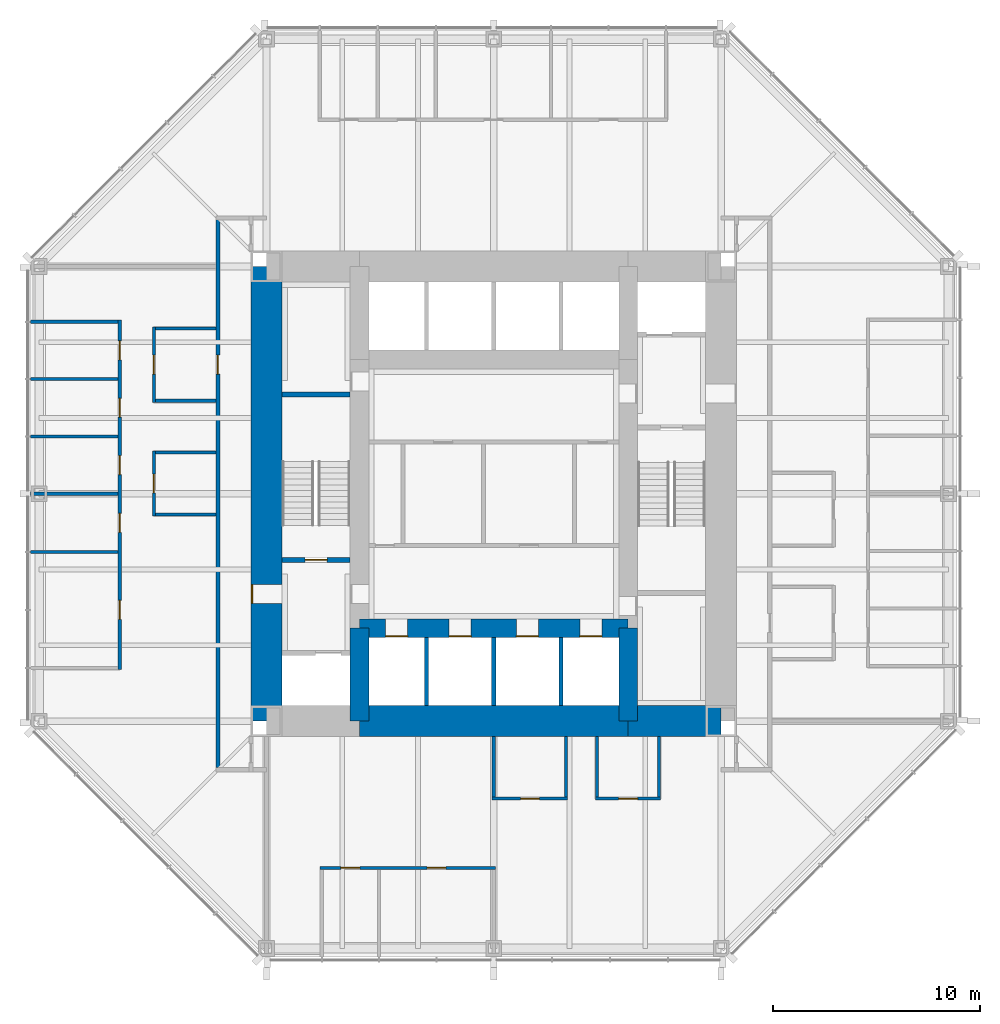
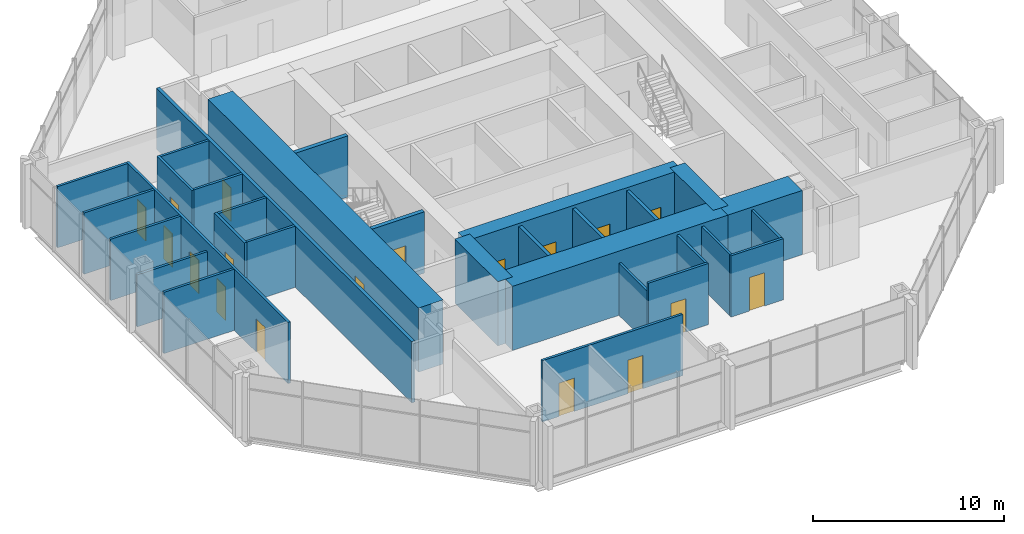
# One storey, part 9 of 12: 31 walls, 18 doors, 18 openings.
"""IFC4 building model written with IfcOpenShell, lengths in metres."""

from ifc_helpers import new_model, si_unit, direction, frame, frame_2d, origin, place, context, subcontext, project, spatial, rectangle, extrude, material, layer, layer_set, type_object, element, fill, save


model = new_model("IFC4")

# Units and contexts
model_context = context("Model", 3, precision=1e-05, world=origin(), true_north=direction((0.0, 1.0)))
body_context = subcontext(model_context, "Body", "Model", "MODEL_VIEW")
ifc_project = project(units=[si_unit("LENGTHUNIT", "METRE"), si_unit("AREAUNIT", "SQUARE_METRE"), si_unit("VOLUMEUNIT", "CUBIC_METRE"), si_unit("PLANEANGLEUNIT", "RADIAN"), si_unit("MASSUNIT", "GRAM", prefix="KILO")], contexts=[model_context])

# Site, building, storey
site_placement = place(None, origin())
site = spatial("IfcSite", under=ifc_project, at=site_placement, CompositionType="ELEMENT")
building_placement = place(site_placement, origin())
building = spatial("IfcBuilding", under=site, at=building_placement, Name="Trevanion Tower", CompositionType="ELEMENT")
storey_placement = place(building_placement, frame((0.0, 0.0, 113.10009765625)))
storey = spatial("IfcBuildingStorey", under=building, at=storey_placement, Name="L26", CompositionType="ELEMENT", Elevation=113.10009765625)

# Wall, opening, door
ifc_material_1 = material(Name="Concrete 10,000 psi", Category="concrete")
ifc_layer_1 = layer(ifc_material_1, 1.5)
ifc_layer_set_1 = layer_set([ifc_layer_1], Name="CW1 core wall 1500")
wall_type_1 = type_object("IfcWallType", Name="CW1 core wall 1500", PredefinedType="SHEAR", material=ifc_layer_set_1)
wall_1_placement = place(storey_placement, frame((-11.0, 11.0, 0.0), z_axis=(0.0, 0.0, 1.0), x_axis=(0.0, -1.0, 0.0)))
wall_1 = element("IfcWall", 1, at=wall_1_placement, inside=storey, type_object=wall_type_1, Name="CW1 CW L26", PredefinedType="SHEAR", context=body_context, shape_type="SweptSolid", body=[
    extrude(rectangle(XDim=22.0, YDim=1.5, at=frame_2d((11.0, 0.0))), origin(), (0.0, 0.0, 1.0), 4.099853515625),
])
opening_1_placement = place(wall_1_placement, frame((15.392578125, 0.0, 0.0)))
opening_1 = element("IfcOpeningElement", 2, at=opening_1_placement, cuts=wall_1, Name="Opening 26-002", PredefinedType="OPENING", context=body_context, shape_type="SweptSolid", body=[
    extrude(rectangle(XDim=0.9150390625, YDim=2.134033203125, at=frame_2d((0.45751953125, 1.06689453125))), frame((0.0, 0.760009765625, 0.0), z_axis=(0.0, -1.0, 0.0), x_axis=(1.0, 0.0, 0.0)), (0.0, 0.0, 1.0), 1.52001953125),
])
ifc_material_2 = material(Name="Hollow metal, fire rated", Category="steel")
door_type_1 = type_object("IfcDoorType", Name="D3 fire lift lobby door", OperationType="SINGLE_SWING_RIGHT", PredefinedType="DOOR", material=ifc_material_2)
door_1_placement = place(opening_1_placement, origin())
door_1 = element("IfcDoor", 3, at=door_1_placement, inside=storey, type_object=door_type_1, Name="Door 26-002", OperationType="SINGLE_SWING_RIGHT", OverallHeight=2.134033203125, OverallWidth=0.9150390625, PredefinedType="DOOR", context=body_context, shape_type="SweptSolid", body=[
    extrude(rectangle(XDim=0.9150390625, YDim=2.134033203125, at=frame_2d((0.45751953125, 1.06689453125))), frame((0.0, -0.6748046875, 0.0), z_axis=(0.0, -1.0, 0.0), x_axis=(1.0, 0.0, 0.0)), (0.0, 0.0, 1.0), 0.050048828125),
])
fill(opening_1, door_1)

# Walls
wall_2_placement = place(storey_placement, frame((-6.5, -11.0, 0.0), z_axis=(0.0, 0.0, 1.0), x_axis=(1.0, 0.0, 0.0)))
element("IfcWall", 4, at=wall_2_placement, inside=storey, type_object=wall_type_1, Name="CW1 CS2 L26", PredefinedType="SHEAR", context=body_context, shape_type="SweptSolid", body=[
    extrude(rectangle(XDim=13.0, YDim=1.5, at=frame_2d((6.5, 0.0))), origin(), (0.0, 0.0, 1.0), 4.099853515625),
])
wall_3_placement = place(storey_placement, frame((6.5, -11.0, 0.0), z_axis=(0.0, 0.0, 1.0), x_axis=(1.0, 0.0, 0.0)))
element("IfcWall", 5, at=wall_3_placement, inside=storey, type_object=wall_type_1, Name="CW1 CS3 L26", PredefinedType="SHEAR", context=body_context, shape_type="SweptSolid", body=[
    extrude(rectangle(XDim=4.5, YDim=1.5, at=frame_2d((2.25, 0.0))), origin(), (0.0, 0.0, 1.0), 4.099853515625),
])
ifc_material_3 = material(Name="Concrete 10,000 psi", Category="concrete")
ifc_layer_2 = layer(ifc_material_3, 0.89990234375)
ifc_layer_set_2 = layer_set([ifc_layer_2], Name="CW2 core wall 900")
wall_type_2 = type_object("IfcWallType", Name="CW2 core wall 900", PredefinedType="SHEAR", material=ifc_layer_set_2)
for number, where, z_axis, x_axis, name in (
    (6, (6.5, -11.0, 0.0), (0.0, 0.0, 1.0), (0.0, 1.0, 0.0), "CW2 RE1 L26"),
    (7, (-6.5, -6.5, 0.0), (0.0, 0.0, 1.0), (0.0, -1.0, 0.0), "CW2 RW3 L26"),
):
    element("IfcWall", number, at=place(storey_placement, frame(where, z_axis=z_axis, x_axis=x_axis)), inside=storey, type_object=wall_type_2, Name=name, PredefinedType="SHEAR", context=body_context, shape_type="SweptSolid", body=[
        extrude(rectangle(XDim=4.5, YDim=0.89990234375, at=frame_2d((2.25, 0.0))), origin(), (0.0, 0.0, 1.0), 4.099853515625),
    ])

# Wall, openings, doors
wall_4_placement = place(storey_placement, frame((-6.5, -6.5, 0.0), z_axis=(0.0, 0.0, 1.0), x_axis=(1.0, 0.0, 0.0)))
wall_4 = element("IfcWall", 8, at=wall_4_placement, inside=storey, type_object=wall_type_2, Name="CW2 RS L26", PredefinedType="SHEAR", context=body_context, shape_type="SweptSolid", body=[
    extrude(rectangle(XDim=13.0, YDim=0.89990234375, at=frame_2d((6.5, 0.0))), origin(), (0.0, 0.0, 1.0), 4.099853515625),
])
opening_2_placement = place(wall_4_placement, frame((1.2666015625, 0.0, 0.0)))
opening_2 = element("IfcOpeningElement", 9, at=opening_2_placement, cuts=wall_4, Name="Opening 26-011", PredefinedType="OPENING", context=body_context, shape_type="SweptSolid", body=[
    extrude(rectangle(XDim=1.06689453125, YDim=2.134033203125, at=frame_2d((0.533447265625, 1.06689453125))), frame((0.0, 0.4599609375, 0.0), z_axis=(0.0, -1.0, 0.0), x_axis=(1.0, 0.0, 0.0)), (0.0, 0.0, 1.0), 0.919921875),
])
opening_3_placement = place(wall_4_placement, frame((4.341552734375, 0.0, 0.0)))
opening_3 = element("IfcOpeningElement", 10, at=opening_3_placement, cuts=wall_4, Name="Opening 26-012", PredefinedType="OPENING", context=body_context, shape_type="SweptSolid", body=[
    extrude(rectangle(XDim=1.06689453125, YDim=2.134033203125, at=frame_2d((0.533447265625, 1.06689453125))), frame((0.0, 0.4599609375, 0.0), z_axis=(0.0, -1.0, 0.0), x_axis=(1.0, 0.0, 0.0)), (0.0, 0.0, 1.0), 0.919921875),
])
opening_4_placement = place(wall_4_placement, frame((7.591552734375, 0.0, 0.0)))
opening_4 = element("IfcOpeningElement", 11, at=opening_4_placement, cuts=wall_4, Name="Opening 26-013", PredefinedType="OPENING", context=body_context, shape_type="SweptSolid", body=[
    extrude(rectangle(XDim=1.06689453125, YDim=2.134033203125, at=frame_2d((0.533447265625, 1.06689453125))), frame((0.0, 0.4599609375, 0.0), z_axis=(0.0, -1.0, 0.0), x_axis=(1.0, 0.0, 0.0)), (0.0, 0.0, 1.0), 0.919921875),
])
opening_5_placement = place(wall_4_placement, frame((10.66650390625, 0.0, 0.0)))
opening_5 = element("IfcOpeningElement", 12, at=opening_5_placement, cuts=wall_4, Name="Opening 26-014", PredefinedType="OPENING", context=body_context, shape_type="SweptSolid", body=[
    extrude(rectangle(XDim=1.06689453125, YDim=2.134033203125, at=frame_2d((0.533447265625, 1.06689453125))), frame((0.0, 0.4599609375, 0.0), z_axis=(0.0, -1.0, 0.0), x_axis=(1.0, 0.0, 0.0)), (0.0, 0.0, 1.0), 0.919921875),
])
ifc_material_4 = material(Name="Stainless steel, fire rated", Category="steel")
door_type_2 = type_object("IfcDoorType", Name="LD1 lift landing door", OperationType="SLIDING_TO_LEFT", PredefinedType="DOOR", material=ifc_material_4)
door_2_placement = place(opening_2_placement, origin())
door_2 = element("IfcDoor", 13, at=door_2_placement, inside=storey, type_object=door_type_2, Name="Door 26-011", OperationType="SLIDING_TO_LEFT", OverallHeight=2.134033203125, OverallWidth=1.06689453125, PredefinedType="DOOR", context=body_context, shape_type="SweptSolid", body=[
    extrude(rectangle(XDim=1.06689453125, YDim=2.134033203125, at=frame_2d((0.533447265625, 1.06689453125))), frame((0.0, -0.375, 0.0), z_axis=(0.0, -1.0, 0.0), x_axis=(1.0, 0.0, 0.0)), (0.0, 0.0, 1.0), 0.050048828125),
])
fill(opening_2, door_2)
door_3_placement = place(opening_3_placement, origin())
door_3 = element("IfcDoor", 14, at=door_3_placement, inside=storey, type_object=door_type_2, Name="Door 26-012", OperationType="SLIDING_TO_LEFT", OverallHeight=2.134033203125, OverallWidth=1.06689453125, PredefinedType="DOOR", context=body_context, shape_type="SweptSolid", body=[
    extrude(rectangle(XDim=1.06689453125, YDim=2.134033203125, at=frame_2d((0.533447265625, 1.06689453125))), frame((0.0, -0.375, 0.0), z_axis=(0.0, -1.0, 0.0), x_axis=(1.0, 0.0, 0.0)), (0.0, 0.0, 1.0), 0.050048828125),
])
fill(opening_3, door_3)
door_4_placement = place(opening_4_placement, origin())
door_4 = element("IfcDoor", 15, at=door_4_placement, inside=storey, type_object=door_type_2, Name="Door 26-013", OperationType="SLIDING_TO_LEFT", OverallHeight=2.134033203125, OverallWidth=1.06689453125, PredefinedType="DOOR", context=body_context, shape_type="SweptSolid", body=[
    extrude(rectangle(XDim=1.06689453125, YDim=2.134033203125, at=frame_2d((0.533447265625, 1.06689453125))), frame((0.0, -0.375, 0.0), z_axis=(0.0, -1.0, 0.0), x_axis=(1.0, 0.0, 0.0)), (0.0, 0.0, 1.0), 0.050048828125),
])
fill(opening_4, door_4)
door_5_placement = place(opening_5_placement, origin())
door_5 = element("IfcDoor", 16, at=door_5_placement, inside=storey, type_object=door_type_2, Name="Door 26-014", OperationType="SLIDING_TO_LEFT", OverallHeight=2.134033203125, OverallWidth=1.06689453125, PredefinedType="DOOR", context=body_context, shape_type="SweptSolid", body=[
    extrude(rectangle(XDim=1.06689453125, YDim=2.134033203125, at=frame_2d((0.533447265625, 1.06689453125))), frame((0.0, -0.375, 0.0), z_axis=(0.0, -1.0, 0.0), x_axis=(1.0, 0.0, 0.0)), (0.0, 0.0, 1.0), 0.050048828125),
])
fill(opening_5, door_5)

ifc_material_5 = material(Name="Gypsum board on steel studs", Category="steel")
ifc_layer_3 = layer(ifc_material_5, 0.14990234375)
ifc_layer_set_3 = layer_set([ifc_layer_3], Name="PT1 partition 150")
wall_type_3 = type_object("IfcWallType", Name="PT1 partition 150", PredefinedType="PARTITIONING", material=ifc_layer_set_3)
wall_5_placement = place(storey_placement, frame((-18.10009765625, 8.39794921875, 0.0), z_axis=(0.0, 0.0, 1.0), x_axis=(0.0, -1.0, 0.0)))
wall_5 = element("IfcWall", 17, at=wall_5_placement, inside=storey, type_object=wall_type_3, Name="PT1 L26 FC2F", PredefinedType="PARTITIONING", context=body_context, shape_type="SweptSolid", body=[
    extrude(rectangle(XDim=16.89404296875, YDim=0.14990234375, at=frame_2d((8.447021484375, 0.0))), origin(), (0.0, 0.0, 1.0), 3.909912109375),
])
opening_6_placement = place(wall_5_placement, frame((1.00439453125, 0.0, 0.0)))
opening_6 = element("IfcOpeningElement", 18, at=opening_6_placement, cuts=wall_5, Name="Opening 26-032", PredefinedType="OPENING", context=body_context, shape_type="SweptSolid", body=[
    extrude(rectangle(XDim=0.9150390625, YDim=2.134033203125, at=frame_2d((0.45751953125, 1.06689453125))), frame((0.0, 0.0849609375, 0.0), z_axis=(0.0, -1.0, 0.0), x_axis=(1.0, 0.0, 0.0)), (0.0, 0.0, 1.0), 0.169921875),
])
opening_7_placement = place(wall_5_placement, frame((3.778564453125, 0.0, 0.0)))
opening_7 = element("IfcOpeningElement", 19, at=opening_7_placement, cuts=wall_5, Name="Opening 26-033", PredefinedType="OPENING", context=body_context, shape_type="SweptSolid", body=[
    extrude(rectangle(XDim=0.9150390625, YDim=2.134033203125, at=frame_2d((0.45751953125, 1.06689453125))), frame((0.0, 0.0849609375, 0.0), z_axis=(0.0, -1.0, 0.0), x_axis=(1.0, 0.0, 0.0)), (0.0, 0.0, 1.0), 0.169921875),
])
opening_8_placement = place(wall_5_placement, frame((6.552978515625, 0.0, 0.0)))
opening_8 = element("IfcOpeningElement", 20, at=opening_8_placement, cuts=wall_5, Name="Opening 26-034", PredefinedType="OPENING", context=body_context, shape_type="SweptSolid", body=[
    extrude(rectangle(XDim=0.9150390625, YDim=2.134033203125, at=frame_2d((0.45751953125, 1.06689453125))), frame((0.0, 0.0849609375, 0.0), z_axis=(0.0, -1.0, 0.0), x_axis=(1.0, 0.0, 0.0)), (0.0, 0.0, 1.0), 0.169921875),
])
opening_9_placement = place(wall_5_placement, frame((9.343994140625, 0.0, 0.0)))
opening_9 = element("IfcOpeningElement", 21, at=opening_9_placement, cuts=wall_5, Name="Opening 26-035", PredefinedType="OPENING", context=body_context, shape_type="SweptSolid", body=[
    extrude(rectangle(XDim=0.9150390625, YDim=2.134033203125, at=frame_2d((0.45751953125, 1.06689453125))), frame((0.0, 0.0849609375, 0.0), z_axis=(0.0, -1.0, 0.0), x_axis=(1.0, 0.0, 0.0)), (0.0, 0.0, 1.0), 0.169921875),
])
opening_10_placement = place(wall_5_placement, frame((13.554443359375, 0.0, 0.0)))
opening_10 = element("IfcOpeningElement", 22, at=opening_10_placement, cuts=wall_5, Name="Opening 26-036", PredefinedType="OPENING", context=body_context, shape_type="SweptSolid", body=[
    extrude(rectangle(XDim=0.9150390625, YDim=2.134033203125, at=frame_2d((0.45751953125, 1.06689453125))), frame((0.0, 0.0849609375, 0.0), z_axis=(0.0, -1.0, 0.0), x_axis=(1.0, 0.0, 0.0)), (0.0, 0.0, 1.0), 0.169921875),
])
ifc_material_6 = material(Name="Timber veneer, solid core", Category="wood")
door_type_3 = type_object("IfcDoorType", Name="D1 office and meeting room door", OperationType="SINGLE_SWING_LEFT", PredefinedType="DOOR", material=ifc_material_6)
door_6_placement = place(opening_6_placement, origin())
door_6 = element("IfcDoor", 23, at=door_6_placement, inside=storey, type_object=door_type_3, Name="Door 26-032", OperationType="SINGLE_SWING_LEFT", OverallHeight=2.134033203125, OverallWidth=0.9150390625, PredefinedType="DOOR", context=body_context, shape_type="SweptSolid", body=[
    extrude(rectangle(XDim=0.9150390625, YDim=2.134033203125, at=frame_2d((0.45751953125, 1.06689453125))), frame((0.0, 0.02490234375, 0.0), z_axis=(0.0, -1.0, 0.0), x_axis=(1.0, 0.0, 0.0)), (0.0, 0.0, 1.0), 0.050048828125),
])
fill(opening_6, door_6)
door_7_placement = place(opening_7_placement, origin())
door_7 = element("IfcDoor", 24, at=door_7_placement, inside=storey, type_object=door_type_3, Name="Door 26-033", OperationType="SINGLE_SWING_LEFT", OverallHeight=2.134033203125, OverallWidth=0.9150390625, PredefinedType="DOOR", context=body_context, shape_type="SweptSolid", body=[
    extrude(rectangle(XDim=0.9150390625, YDim=2.134033203125, at=frame_2d((0.45751953125, 1.06689453125))), frame((0.0, 0.02490234375, 0.0), z_axis=(0.0, -1.0, 0.0), x_axis=(1.0, 0.0, 0.0)), (0.0, 0.0, 1.0), 0.050048828125),
])
fill(opening_7, door_7)
door_8_placement = place(opening_8_placement, origin())
door_8 = element("IfcDoor", 25, at=door_8_placement, inside=storey, type_object=door_type_3, Name="Door 26-034", OperationType="SINGLE_SWING_LEFT", OverallHeight=2.134033203125, OverallWidth=0.9150390625, PredefinedType="DOOR", context=body_context, shape_type="SweptSolid", body=[
    extrude(rectangle(XDim=0.9150390625, YDim=2.134033203125, at=frame_2d((0.45751953125, 1.06689453125))), frame((0.0, 0.02490234375, 0.0), z_axis=(0.0, -1.0, 0.0), x_axis=(1.0, 0.0, 0.0)), (0.0, 0.0, 1.0), 0.050048828125),
])
fill(opening_8, door_8)
door_9_placement = place(opening_9_placement, origin())
door_9 = element("IfcDoor", 26, at=door_9_placement, inside=storey, type_object=door_type_3, Name="Door 26-035", OperationType="SINGLE_SWING_LEFT", OverallHeight=2.134033203125, OverallWidth=0.9150390625, PredefinedType="DOOR", context=body_context, shape_type="SweptSolid", body=[
    extrude(rectangle(XDim=0.9150390625, YDim=2.134033203125, at=frame_2d((0.45751953125, 1.06689453125))), frame((0.0, 0.02490234375, 0.0), z_axis=(0.0, -1.0, 0.0), x_axis=(1.0, 0.0, 0.0)), (0.0, 0.0, 1.0), 0.050048828125),
])
fill(opening_9, door_9)
door_10_placement = place(opening_10_placement, origin())
door_10 = element("IfcDoor", 27, at=door_10_placement, inside=storey, type_object=door_type_3, Name="Door 26-036", OperationType="SINGLE_SWING_LEFT", OverallHeight=2.134033203125, OverallWidth=0.9150390625, PredefinedType="DOOR", context=body_context, shape_type="SweptSolid", body=[
    extrude(rectangle(XDim=0.9150390625, YDim=2.134033203125, at=frame_2d((0.45751953125, 1.06689453125))), frame((0.0, 0.02490234375, 0.0), z_axis=(0.0, -1.0, 0.0), x_axis=(1.0, 0.0, 0.0)), (0.0, 0.0, 1.0), 0.050048828125),
])
fill(opening_10, door_10)

# Walls
for number, where, z_axis, x_axis, name in (
    (28, (-18.175048828125, 8.322998046875, 0.0), (0.0, 0.0, 1.0), (-1.0, 0.0, 0.0), "PT1 L26 FC2S0"),
    (29, (-18.175048828125, 5.549072265625, 0.0), (0.0, 0.0, 1.0), (-1.0, 0.0, 0.0), "PT1 L26 FC2S1"),
    (30, (-18.175048828125, 2.77490234375, 0.0), (0.0, 0.0, 1.0), (-1.0, 0.0, 0.0), "PT1 L26 FC2S2"),
):
    element("IfcWall", number, at=place(storey_placement, frame(where, z_axis=z_axis, x_axis=x_axis)), inside=storey, type_object=wall_type_3, Name=name, PredefinedType="PARTITIONING", context=body_context, shape_type="SweptSolid", body=[
        extrude(rectangle(XDim=4.239990234375, YDim=0.14990234375, at=frame_2d((2.1201171875, 0.0))), origin(), (0.0, 0.0, 1.0), 3.909912109375),
    ])
wall_6_placement = place(storey_placement, frame((-18.175048828125, 0.0, 0.0), z_axis=(0.0, 0.0, 1.0), x_axis=(-1.0, 0.0, 0.0)))
element("IfcWall", 31, at=wall_6_placement, inside=storey, type_object=wall_type_3, Name="PT1 L26 FC2S3", PredefinedType="PARTITIONING", context=body_context, shape_type="SweptSolid", body=[
    extrude(rectangle(XDim=4.239990234375, YDim=0.14990234375, at=frame_2d((2.1201171875, 0.0))), origin(), (0.0, 0.0, 1.0), 3.32568359375),
])
wall_7_placement = place(storey_placement, frame((-18.175048828125, -2.806884765625, 0.0), z_axis=(0.0, 0.0, 1.0), x_axis=(-1.0, 0.0, 0.0)))
element("IfcWall", 32, at=wall_7_placement, inside=storey, type_object=wall_type_3, Name="PT1 L26 FC2S4", PredefinedType="PARTITIONING", context=body_context, shape_type="SweptSolid", body=[
    extrude(rectangle(XDim=4.239990234375, YDim=0.14990234375, at=frame_2d((2.1201171875, 0.0))), origin(), (0.0, 0.0, 1.0), 3.909912109375),
])

# Wall, openings, doors
wall_8_placement = place(storey_placement, frame((-8.39794921875, -18.10009765625, 0.0), z_axis=(0.0, 0.0, 1.0), x_axis=(1.0, 0.0, 0.0)))
wall_8 = element("IfcWall", 33, at=wall_8_placement, inside=storey, type_object=wall_type_3, Name="PT1 L26 FC3F", PredefinedType="PARTITIONING", context=body_context, shape_type="SweptSolid", body=[
    extrude(rectangle(XDim=8.472900390625, YDim=0.14990234375, at=frame_2d((4.236328125, 0.0))), origin(), (0.0, 0.0, 1.0), 3.909912109375),
])
opening_11_placement = place(wall_8_placement, frame((1.00439453125, 0.0, 0.0)))
opening_11 = element("IfcOpeningElement", 34, at=opening_11_placement, cuts=wall_8, Name="Opening 26-037", PredefinedType="OPENING", context=body_context, shape_type="SweptSolid", body=[
    extrude(rectangle(XDim=0.9150390625, YDim=2.134033203125, at=frame_2d((0.45751953125, 1.06689453125))), frame((0.0, 0.0849609375, 0.0), z_axis=(0.0, -1.0, 0.0), x_axis=(1.0, 0.0, 0.0)), (0.0, 0.0, 1.0), 0.169921875),
])
opening_12_placement = place(wall_8_placement, frame((5.166015625, 0.0, 0.0)))
opening_12 = element("IfcOpeningElement", 35, at=opening_12_placement, cuts=wall_8, Name="Opening 26-038", PredefinedType="OPENING", context=body_context, shape_type="SweptSolid", body=[
    extrude(rectangle(XDim=0.9150390625, YDim=2.134033203125, at=frame_2d((0.45751953125, 1.06689453125))), frame((0.0, 0.0849609375, 0.0), z_axis=(0.0, -1.0, 0.0), x_axis=(1.0, 0.0, 0.0)), (0.0, 0.0, 1.0), 0.169921875),
])
door_11_placement = place(opening_11_placement, origin())
door_11 = element("IfcDoor", 36, at=door_11_placement, inside=storey, type_object=door_type_3, Name="Door 26-037", OperationType="SINGLE_SWING_LEFT", OverallHeight=2.134033203125, OverallWidth=0.9150390625, PredefinedType="DOOR", context=body_context, shape_type="SweptSolid", body=[
    extrude(rectangle(XDim=0.9150390625, YDim=2.134033203125, at=frame_2d((0.45751953125, 1.06689453125))), frame((0.0, 0.02490234375, 0.0), z_axis=(0.0, -1.0, 0.0), x_axis=(1.0, 0.0, 0.0)), (0.0, 0.0, 1.0), 0.050048828125),
])
fill(opening_11, door_11)
door_12_placement = place(opening_12_placement, origin())
door_12 = element("IfcDoor", 37, at=door_12_placement, inside=storey, type_object=door_type_3, Name="Door 26-038", OperationType="SINGLE_SWING_LEFT", OverallHeight=2.134033203125, OverallWidth=0.9150390625, PredefinedType="DOOR", context=body_context, shape_type="SweptSolid", body=[
    extrude(rectangle(XDim=0.9150390625, YDim=2.134033203125, at=frame_2d((0.45751953125, 1.06689453125))), frame((0.0, 0.02490234375, 0.0), z_axis=(0.0, -1.0, 0.0), x_axis=(1.0, 0.0, 0.0)), (0.0, 0.0, 1.0), 0.050048828125),
])
fill(opening_12, door_12)

# Wall, opening, door
wall_9_placement = place(storey_placement, frame((-16.449951171875, 8.074951171875, 0.0), z_axis=(0.0, 0.0, 1.0), x_axis=(0.0, -1.0, 0.0)))
wall_9 = element("IfcWall", 38, at=wall_9_placement, inside=storey, type_object=wall_type_3, Name="PT1 L26 IN20F", PredefinedType="PARTITIONING", context=body_context, shape_type="SweptSolid", body=[
    extrude(rectangle(XDim=3.64990234375, YDim=0.14990234375, at=frame_2d((1.824951171875, 0.0))), origin(), (0.0, 0.0, 1.0), 3.909912109375),
])
opening_13_placement = place(wall_9_placement, frame((1.367431640625, 0.0, 0.0)))
opening_13 = element("IfcOpeningElement", 39, at=opening_13_placement, cuts=wall_9, Name="Opening 26-042", PredefinedType="OPENING", context=body_context, shape_type="SweptSolid", body=[
    extrude(rectangle(XDim=0.9150390625, YDim=2.134033203125, at=frame_2d((0.45751953125, 1.06689453125))), frame((0.0, 0.0849609375, 0.0), z_axis=(0.0, -1.0, 0.0), x_axis=(1.0, 0.0, 0.0)), (0.0, 0.0, 1.0), 0.169921875),
])
door_13_placement = place(opening_13_placement, origin())
door_13 = element("IfcDoor", 40, at=door_13_placement, inside=storey, type_object=door_type_3, Name="Door 26-042", OperationType="SINGLE_SWING_LEFT", OverallHeight=2.134033203125, OverallWidth=0.9150390625, PredefinedType="DOOR", context=body_context, shape_type="SweptSolid", body=[
    extrude(rectangle(XDim=0.9150390625, YDim=2.134033203125, at=frame_2d((0.45751953125, 1.06689453125))), frame((0.0, 0.02490234375, 0.0), z_axis=(0.0, -1.0, 0.0), x_axis=(1.0, 0.0, 0.0)), (0.0, 0.0, 1.0), 0.050048828125),
])
fill(opening_13, door_13)

# Walls
for number, where, z_axis, x_axis, name in (
    (41, (-16.375, 8.0, 0.0), (0.0, 0.0, 1.0), (1.0, 0.0, 0.0), "PT1 L26 IN20S0"),
    (42, (-16.375, 4.5, 0.0), (0.0, 0.0, 1.0), (1.0, 0.0, 0.0), "PT1 L26 IN20S1"),
):
    element("IfcWall", number, at=place(storey_placement, frame(where, z_axis=z_axis, x_axis=x_axis)), inside=storey, type_object=wall_type_3, Name=name, PredefinedType="PARTITIONING", context=body_context, shape_type="SweptSolid", body=[
        extrude(rectangle(XDim=2.925048828125, YDim=0.14990234375, at=frame_2d((1.46240234375, 0.0))), origin(), (0.0, 0.0, 1.0), 3.909912109375),
    ])

# Wall, opening, door
wall_10_placement = place(storey_placement, frame((-16.449951171875, 2.074951171875, 0.0), z_axis=(0.0, 0.0, 1.0), x_axis=(0.0, -1.0, 0.0)))
wall_10 = element("IfcWall", 43, at=wall_10_placement, inside=storey, type_object=wall_type_3, Name="PT1 L26 IN21F", PredefinedType="PARTITIONING", context=body_context, shape_type="SweptSolid", body=[
    extrude(rectangle(XDim=3.14990234375, YDim=0.14990234375, at=frame_2d((1.574951171875, 0.0))), origin(), (0.0, 0.0, 1.0), 3.909912109375),
])
opening_14_placement = place(wall_10_placement, frame((1.117431640625, 0.0, 0.0)))
opening_14 = element("IfcOpeningElement", 44, at=opening_14_placement, cuts=wall_10, Name="Opening 26-044", PredefinedType="OPENING", context=body_context, shape_type="SweptSolid", body=[
    extrude(rectangle(XDim=0.9150390625, YDim=2.134033203125, at=frame_2d((0.45751953125, 1.06689453125))), frame((0.0, 0.0849609375, 0.0), z_axis=(0.0, -1.0, 0.0), x_axis=(1.0, 0.0, 0.0)), (0.0, 0.0, 1.0), 0.169921875),
])
door_14_placement = place(opening_14_placement, origin())
door_14 = element("IfcDoor", 45, at=door_14_placement, inside=storey, type_object=door_type_3, Name="Door 26-044", OperationType="SINGLE_SWING_LEFT", OverallHeight=2.134033203125, OverallWidth=0.9150390625, PredefinedType="DOOR", context=body_context, shape_type="SweptSolid", body=[
    extrude(rectangle(XDim=0.9150390625, YDim=2.134033203125, at=frame_2d((0.45751953125, 1.06689453125))), frame((0.0, 0.02490234375, 0.0), z_axis=(0.0, -1.0, 0.0), x_axis=(1.0, 0.0, 0.0)), (0.0, 0.0, 1.0), 0.050048828125),
])
fill(opening_14, door_14)

# Walls
for number, where, z_axis, x_axis, name in (
    (46, (-16.375, 2.0, 0.0), (0.0, 0.0, 1.0), (1.0, 0.0, 0.0), "PT1 L26 IN21S0"),
    (47, (-16.375, -1.0, 0.0), (0.0, 0.0, 1.0), (1.0, 0.0, 0.0), "PT1 L26 IN21S1"),
):
    element("IfcWall", number, at=place(storey_placement, frame(where, z_axis=z_axis, x_axis=x_axis)), inside=storey, type_object=wall_type_3, Name=name, PredefinedType="PARTITIONING", context=body_context, shape_type="SweptSolid", body=[
        extrude(rectangle(XDim=2.925048828125, YDim=0.14990234375, at=frame_2d((1.46240234375, 0.0))), origin(), (0.0, 0.0, 1.0), 3.909912109375),
    ])

# Wall, opening, door
wall_11_placement = place(storey_placement, frame((-0.074951171875, -14.75, 0.0), z_axis=(0.0, 0.0, 1.0), x_axis=(1.0, 0.0, 0.0)))
wall_11 = element("IfcWall", 48, at=wall_11_placement, inside=storey, type_object=wall_type_3, Name="PT1 L26 IN30F", PredefinedType="PARTITIONING", context=body_context, shape_type="SweptSolid", body=[
    extrude(rectangle(XDim=3.64990234375, YDim=0.14990234375, at=frame_2d((1.824951171875, 0.0))), origin(), (0.0, 0.0, 1.0), 3.909912109375),
])
opening_15_placement = place(wall_11_placement, frame((1.367431640625, 0.0, 0.0)))
opening_15 = element("IfcOpeningElement", 49, at=opening_15_placement, cuts=wall_11, Name="Opening 26-045", PredefinedType="OPENING", context=body_context, shape_type="SweptSolid", body=[
    extrude(rectangle(XDim=0.9150390625, YDim=2.134033203125, at=frame_2d((0.45751953125, 1.06689453125))), frame((0.0, 0.0849609375, 0.0), z_axis=(0.0, -1.0, 0.0), x_axis=(1.0, 0.0, 0.0)), (0.0, 0.0, 1.0), 0.169921875),
])
door_15_placement = place(opening_15_placement, origin())
door_15 = element("IfcDoor", 50, at=door_15_placement, inside=storey, type_object=door_type_3, Name="Door 26-045", OperationType="SINGLE_SWING_LEFT", OverallHeight=2.134033203125, OverallWidth=0.9150390625, PredefinedType="DOOR", context=body_context, shape_type="SweptSolid", body=[
    extrude(rectangle(XDim=0.9150390625, YDim=2.134033203125, at=frame_2d((0.45751953125, 1.06689453125))), frame((0.0, 0.02490234375, 0.0), z_axis=(0.0, -1.0, 0.0), x_axis=(1.0, 0.0, 0.0)), (0.0, 0.0, 1.0), 0.050048828125),
])
fill(opening_15, door_15)

# Walls
wall_12_placement = place(storey_placement, frame((0.0, -14.675048828125, 0.0), z_axis=(0.0, 0.0, 1.0), x_axis=(0.0, 1.0, 0.0)))
element("IfcWall", 51, at=wall_12_placement, inside=storey, type_object=wall_type_3, Name="PT1 L26 IN30S0", PredefinedType="PARTITIONING", context=body_context, shape_type="SweptSolid", body=[
    extrude(rectangle(XDim=2.925048828125, YDim=0.14990234375, at=frame_2d((1.46240234375, 0.0))), origin(), (0.0, 0.0, 1.0), 3.32568359375),
])
wall_13_placement = place(storey_placement, frame((3.5, -14.675048828125, 0.0), z_axis=(0.0, 0.0, 1.0), x_axis=(0.0, 1.0, 0.0)))
element("IfcWall", 52, at=wall_13_placement, inside=storey, type_object=wall_type_3, Name="PT1 L26 IN30S1", PredefinedType="PARTITIONING", context=body_context, shape_type="SweptSolid", body=[
    extrude(rectangle(XDim=2.925048828125, YDim=0.14990234375, at=frame_2d((1.46240234375, 0.0))), origin(), (0.0, 0.0, 1.0), 3.909912109375),
])

# Wall, opening, door
wall_14_placement = place(storey_placement, frame((4.925048828125, -14.75, 0.0), z_axis=(0.0, 0.0, 1.0), x_axis=(1.0, 0.0, 0.0)))
wall_14 = element("IfcWall", 53, at=wall_14_placement, inside=storey, type_object=wall_type_3, Name="PT1 L26 IN31F", PredefinedType="PARTITIONING", context=body_context, shape_type="SweptSolid", body=[
    extrude(rectangle(XDim=3.14990234375, YDim=0.14990234375, at=frame_2d((1.574951171875, 0.0))), origin(), (0.0, 0.0, 1.0), 3.909912109375),
])
opening_16_placement = place(wall_14_placement, frame((1.117431640625, 0.0, 0.0)))
opening_16 = element("IfcOpeningElement", 54, at=opening_16_placement, cuts=wall_14, Name="Opening 26-046", PredefinedType="OPENING", context=body_context, shape_type="SweptSolid", body=[
    extrude(rectangle(XDim=0.9150390625, YDim=2.134033203125, at=frame_2d((0.45751953125, 1.06689453125))), frame((0.0, 0.0849609375, 0.0), z_axis=(0.0, -1.0, 0.0), x_axis=(1.0, 0.0, 0.0)), (0.0, 0.0, 1.0), 0.169921875),
])
door_16_placement = place(opening_16_placement, origin())
door_16 = element("IfcDoor", 55, at=door_16_placement, inside=storey, type_object=door_type_3, Name="Door 26-046", OperationType="SINGLE_SWING_LEFT", OverallHeight=2.134033203125, OverallWidth=0.9150390625, PredefinedType="DOOR", context=body_context, shape_type="SweptSolid", body=[
    extrude(rectangle(XDim=0.9150390625, YDim=2.134033203125, at=frame_2d((0.45751953125, 1.06689453125))), frame((0.0, 0.02490234375, 0.0), z_axis=(0.0, -1.0, 0.0), x_axis=(1.0, 0.0, 0.0)), (0.0, 0.0, 1.0), 0.050048828125),
])
fill(opening_16, door_16)

# Walls
for number, where, z_axis, x_axis, name in (
    (56, (5.0, -14.675048828125, 0.0), (0.0, 0.0, 1.0), (0.0, 1.0, 0.0), "PT1 L26 IN31S0"),
    (57, (8.0, -14.675048828125, 0.0), (0.0, 0.0, 1.0), (0.0, 1.0, 0.0), "PT1 L26 IN31S1"),
):
    element("IfcWall", number, at=place(storey_placement, frame(where, z_axis=z_axis, x_axis=x_axis)), inside=storey, type_object=wall_type_3, Name=name, PredefinedType="PARTITIONING", context=body_context, shape_type="SweptSolid", body=[
        extrude(rectangle(XDim=2.925048828125, YDim=0.14990234375, at=frame_2d((1.46240234375, 0.0))), origin(), (0.0, 0.0, 1.0), 3.909912109375),
    ])

# Wall, opening, door
ifc_material_7 = material(Name="Concrete masonry, grouted", Category="masonry")
ifc_layer_4 = layer(ifc_material_7, 0.199951171875)
ifc_layer_set_4 = layer_set([ifc_layer_4], Name="PT2 partition 200 1 HR")
wall_type_4 = type_object("IfcWallType", Name="PT2 partition 200 1 HR", PredefinedType="PARTITIONING", material=ifc_layer_set_4)
wall_15_placement = place(storey_placement, frame((-13.35009765625, 13.449951171875, 0.0), z_axis=(0.0, 0.0, 1.0), x_axis=(0.0, -1.0, 0.0)))
wall_15 = element("IfcWall", 58, at=wall_15_placement, inside=storey, type_object=wall_type_4, Name="PT2 L26 OC2", PredefinedType="PARTITIONING", context=body_context, shape_type="SweptSolid", body=[
    extrude(rectangle(XDim=26.699951171875, YDim=0.199951171875, at=frame_2d((13.35009765625, 0.0))), origin(), (0.0, 0.0, 1.0), 3.909912109375),
])
opening_17_placement = place(wall_15_placement, frame((6.742431640625, 0.0, 0.0)))
opening_17 = element("IfcOpeningElement", 59, at=opening_17_placement, cuts=wall_15, Name="Opening 26-043", PredefinedType="OPENING", context=body_context, shape_type="SweptSolid", body=[
    extrude(rectangle(XDim=0.9150390625, YDim=2.134033203125, at=frame_2d((0.45751953125, 1.06689453125))), frame((0.0, 0.10986328125, 0.0), z_axis=(0.0, -1.0, 0.0), x_axis=(1.0, 0.0, 0.0)), (0.0, 0.0, 1.0), 0.219970703125),
])
ifc_material_8 = material(Name="Timber veneer, fire rated", Category="wood")
door_type_4 = type_object("IfcDoorType", Name="D10 office door in a one hour wall", OperationType="SINGLE_SWING_LEFT", PredefinedType="DOOR", material=ifc_material_8)
door_17_placement = place(opening_17_placement, origin())
door_17 = element("IfcDoor", 60, at=door_17_placement, inside=storey, type_object=door_type_4, Name="Door 26-043", OperationType="SINGLE_SWING_LEFT", OverallHeight=2.134033203125, OverallWidth=0.9150390625, PredefinedType="DOOR", context=body_context, shape_type="SweptSolid", body=[
    extrude(rectangle(XDim=0.9150390625, YDim=2.134033203125, at=frame_2d((0.45751953125, 1.06689453125))), frame((0.0, 0.02490234375, 0.0), z_axis=(0.0, -1.0, 0.0), x_axis=(1.0, 0.0, 0.0)), (0.0, 0.0, 1.0), 0.050048828125),
])
fill(opening_17, door_17)

# Walls
ifc_material_9 = material(Name="Concrete masonry, grouted", Category="masonry")
ifc_layer_5 = layer(ifc_material_9, 0.199951171875)
ifc_layer_set_5 = layer_set([ifc_layer_5], Name="PT2 partition 200 2 HR")
wall_type_5 = type_object("IfcWallType", Name="PT2 partition 200 2 HR", PredefinedType="PARTITIONING", material=ifc_layer_set_5)
for number, where, z_axis, x_axis, name in (
    (61, (-3.25, -10.25, 0.0), (0.0, 0.0, 1.0), (0.0, 1.0, 0.0), "PT2 L26 SS0"),
    (62, (0.0, -10.25, 0.0), (0.0, 0.0, 1.0), (0.0, 1.0, 0.0), "PT2 L26 SS1"),
    (63, (3.25, -10.25, 0.0), (0.0, 0.0, 1.0), (0.0, 1.0, 0.0), "PT2 L26 SS2"),
):
    element("IfcWall", number, at=place(storey_placement, frame(where, z_axis=z_axis, x_axis=x_axis)), inside=storey, type_object=wall_type_5, Name=name, PredefinedType="PARTITIONING", context=body_context, shape_type="SweptSolid", body=[
        extrude(rectangle(XDim=3.300048828125, YDim=0.199951171875, at=frame_2d((1.64990234375, 0.0))), origin(), (0.0, 0.0, 1.0), 3.909912109375),
    ])
ifc_material_10 = material(Name="Reinforced masonry, fully grouted", Category="masonry")
ifc_layer_6 = layer(ifc_material_10, 0.25)
ifc_layer_set_6 = layer_set([ifc_layer_6], Name="SW1 stair shaft wall 250")
wall_type_6 = type_object("IfcWallType", Name="SW1 stair shaft wall 250", PredefinedType="SOLIDWALL", material=ifc_layer_set_6)
wall_16_placement = place(storey_placement, frame((-6.949951171875, 4.800048828125, 0.0), z_axis=(0.0, 0.0, 1.0), x_axis=(-1.0, 0.0, 0.0)))
element("IfcWall", 64, at=wall_16_placement, inside=storey, type_object=wall_type_6, Name="SW1 L26 WP1", PredefinedType="SOLIDWALL", context=body_context, shape_type="SweptSolid", body=[
    extrude(rectangle(XDim=3.300048828125, YDim=0.25, at=frame_2d((1.64990234375, 0.0))), origin(), (0.0, 0.0, 1.0), 3.909912109375),
])

# Wall, opening, door
wall_17_placement = place(storey_placement, frame((-6.949951171875, -3.199951171875, 0.0), z_axis=(0.0, 0.0, 1.0), x_axis=(-1.0, 0.0, 0.0)))
wall_17 = element("IfcWall", 65, at=wall_17_placement, inside=storey, type_object=wall_type_6, Name="SW1 L26 WP2", PredefinedType="SOLIDWALL", context=body_context, shape_type="SweptSolid", body=[
    extrude(rectangle(XDim=3.300048828125, YDim=0.25, at=frame_2d((1.64990234375, 0.0))), origin(), (0.0, 0.0, 1.0), 3.909912109375),
])
opening_18_placement = place(wall_17_placement, frame((1.116455078125, 0.0, 0.0)))
opening_18 = element("IfcOpeningElement", 66, at=opening_18_placement, cuts=wall_17, Name="Opening 26-006", PredefinedType="OPENING", context=body_context, shape_type="SweptSolid", body=[
    extrude(rectangle(XDim=1.06689453125, YDim=2.134033203125, at=frame_2d((0.533447265625, 1.06689453125))), frame((0.0, 0.135009765625, 0.0), z_axis=(0.0, -1.0, 0.0), x_axis=(1.0, 0.0, 0.0)), (0.0, 0.0, 1.0), 0.27001953125),
])
ifc_material_11 = material(Name="Hollow metal, fire rated", Category="steel")
door_type_5 = type_object("IfcDoorType", Name="D2 exit stair door", OperationType="SINGLE_SWING_LEFT", PredefinedType="DOOR", material=ifc_material_11)
door_18_placement = place(opening_18_placement, origin())
door_18 = element("IfcDoor", 67, at=door_18_placement, inside=storey, type_object=door_type_5, Name="Door 26-006", OperationType="SINGLE_SWING_LEFT", OverallHeight=2.134033203125, OverallWidth=1.06689453125, PredefinedType="DOOR", context=body_context, shape_type="SweptSolid", body=[
    extrude(rectangle(XDim=1.06689453125, YDim=2.134033203125, at=frame_2d((0.533447265625, 1.06689453125))), frame((0.0, 0.02490234375, 0.0), z_axis=(0.0, -1.0, 0.0), x_axis=(1.0, 0.0, 0.0)), (0.0, 0.0, 1.0), 0.050048828125),
])
fill(opening_18, door_18)

save(model, "model.ifc")
